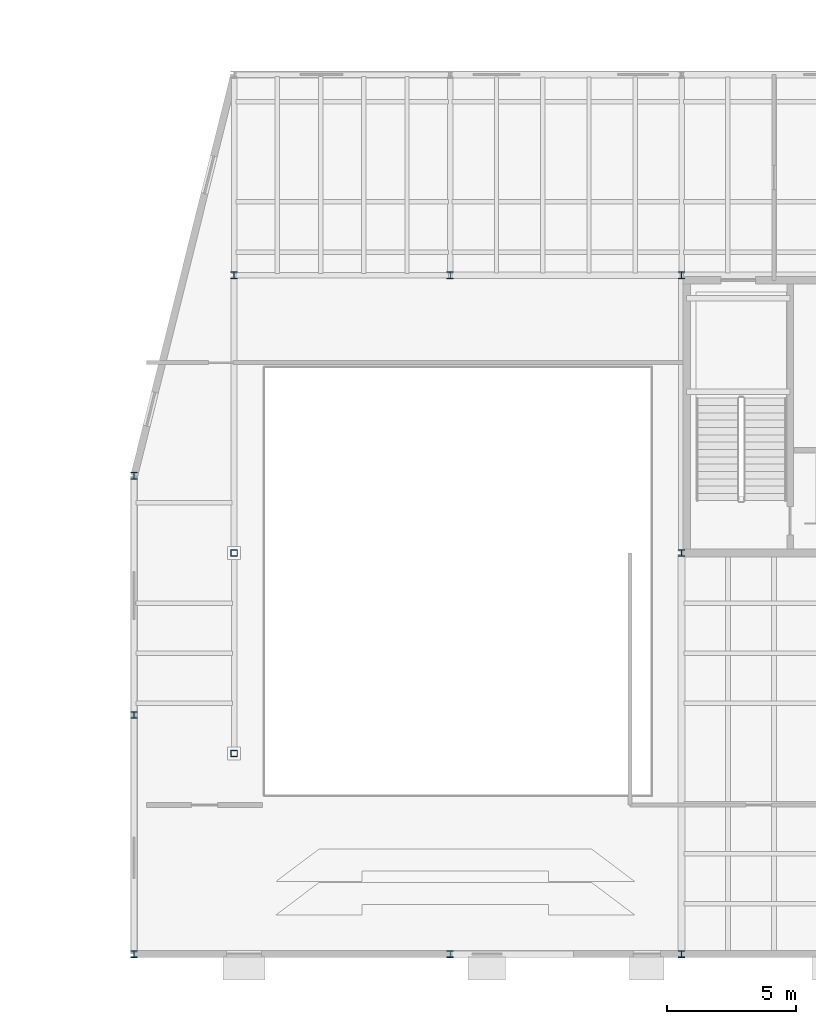
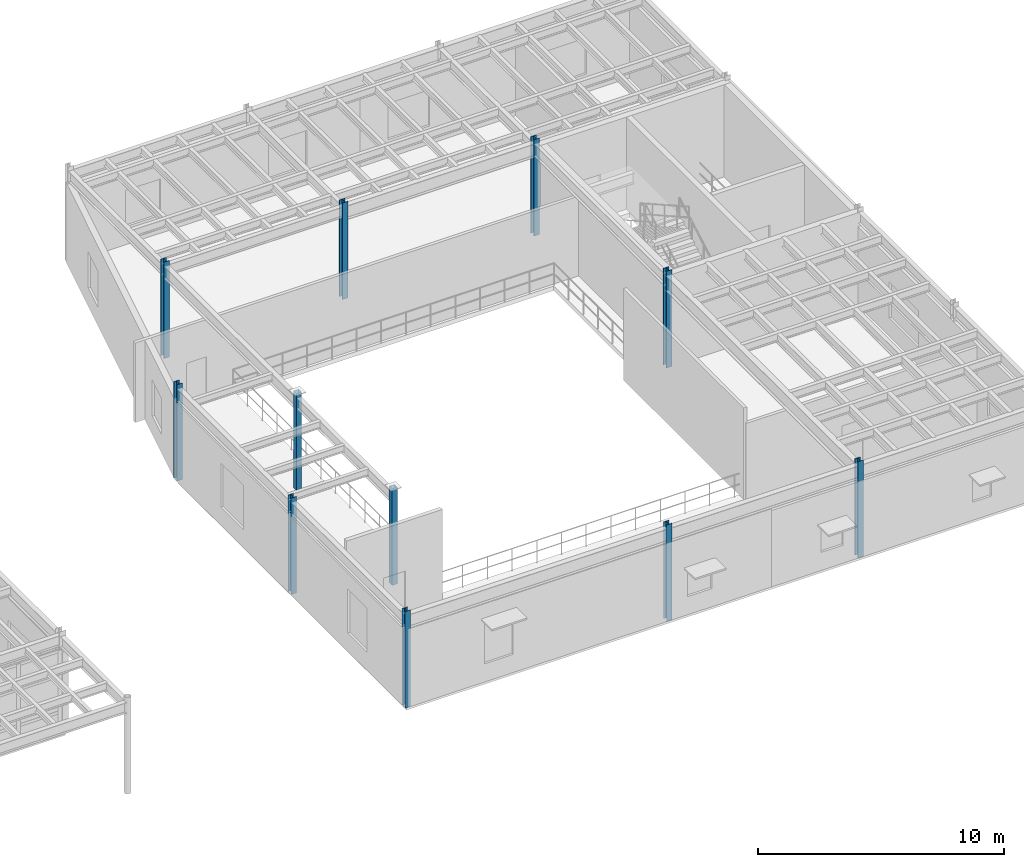
# One storey, part 17 of 116: 11 columns.
"""IFC4 building model written with IfcOpenShell, lengths in metres."""

from ifc_helpers import new_model, si_unit, direction, frame, origin, origin_2d, place, context, subcontext, project, spatial, hollow_rectangle, i_section, extrude, material, material_profile, profile_set, type_object, element, save


model = new_model("IFC4")

# Units and contexts
model_context = context("Model", 3, precision=1e-05, world=origin(), true_north=direction((0.0, 1.0)))
body_context = subcontext(model_context, "Body", "Model", "MODEL_VIEW")
ifc_project = project(units=[si_unit("LENGTHUNIT", "METRE"), si_unit("AREAUNIT", "SQUARE_METRE"), si_unit("VOLUMEUNIT", "CUBIC_METRE"), si_unit("PLANEANGLEUNIT", "RADIAN"), si_unit("MASSUNIT", "GRAM", prefix="KILO")], contexts=[model_context])

# Site, building, storey
site_placement = place(None, origin())
site = spatial("IfcSite", under=ifc_project, at=site_placement, CompositionType="ELEMENT")
building_placement = place(site_placement, origin())
building = spatial("IfcBuilding", under=site, at=building_placement, Name="Selat Folded Stagehouse", CompositionType="ELEMENT")
storey_placement = place(building_placement, frame((0.0, 0.0, 5.39990234375)))
storey = spatial("IfcBuildingStorey", under=building, at=storey_placement, Name="L01", CompositionType="ELEMENT", Elevation=5.39990234375)

# Columns
ifc_material = material(Name="Steel S355", Category="steel")
ifc_material_profile_1 = material_profile(ifc_material, i_section(OverallWidth=0.2587890625, OverallDepth=0.2666015625, WebThickness=0.0126953125, FlangeThickness=0.0205078125, FilletRadius=0.0126953125, at=origin_2d()), Name="UKC 254x254x107")
ifc_profile_set_1 = profile_set([ifc_material_profile_1], Name="Steel S355")
column_type_1 = type_object("IfcColumnType", Name="COL-UKC-254x254x107", PredefinedType="COLUMN", material=ifc_profile_set_1)
for number, where, z_axis, x_axis, name in (
    (1, (130.510498046875, 0.0, 0.0), (0.0, 0.0, 1.0), (1.0, 0.0, 0.0), "L01 column STK-V3-00"),
    (2, (130.510498046875, 9.300048828125, 0.0), (0.0, 0.0, 1.0), (1.0, 0.0, 0.0), "L01 column STK-V3-01"),
    (3, (130.510498046875, 18.60009765625, 0.0), (0.0, 0.0, 1.0), (1.0, 0.0, 0.0), "L01 column STK-V3-02"),
    (4, (134.39990234375, 26.39990234375, 0.0), (0.0, 0.0, 1.0), (1.0, 0.0, 0.0), "L01 column STK-V3-03"),
    (5, (142.800048828125, 0.0, 0.0), (0.0, 0.0, 1.0), (1.0, 0.0, 0.0), "L01 column STK-V3-05"),
    (6, (142.800048828125, 26.39990234375, 0.0), (0.0, 0.0, 1.0), (1.0, 0.0, 0.0), "L01 column STK-V3-06"),
    (7, (151.800048828125, 0.0, 0.0), (0.0, 0.0, 1.0), (1.0, 0.0, 0.0), "L01 column STK-V3-08"),
    (8, (151.800048828125, 15.60009765625, 0.0), (0.0, 0.0, 1.0), (1.0, 0.0, 0.0), "L01 column STK-V3-09"),
    (9, (151.800048828125, 26.39990234375, 0.0), (0.0, 0.0, 1.0), (1.0, 0.0, 0.0), "L01 column STK-V3-10"),
):
    element("IfcColumn", number, at=place(storey_placement, frame(where, z_axis=z_axis, x_axis=x_axis)), inside=storey, type_object=column_type_1, Name=name, PredefinedType="COLUMN", context=body_context, shape_type="SweptSolid", body=[
        extrude(i_section(OverallWidth=0.2587890625, OverallDepth=0.2666015625, WebThickness=0.0126953125, FlangeThickness=0.0205078125, FilletRadius=0.0126953125, at=origin_2d()), origin(), (0.0, 0.0, 1.0), 4.800048828125),
    ])
ifc_material_profile_2 = material_profile(ifc_material, hollow_rectangle(XDim=0.25, YDim=0.25, WallThickness=0.012451171875, at=origin_2d()), Name="SHS 250x250x12.5")
ifc_profile_set_2 = profile_set([ifc_material_profile_2], Name="Steel S355")
column_type_2 = type_object("IfcColumnType", Name="PIL-SHS-250x250", PredefinedType="PILASTER", material=ifc_profile_set_2)
for number, where, z_axis, x_axis, name in (
    (10, (134.39990234375, 7.800048828125, 0.0), (0.0, 0.0, 1.0), (1.0, 0.0, 0.0), "L01 pilaster 3"),
    (11, (134.39990234375, 15.60009765625, 0.0), (0.0, 0.0, 1.0), (1.0, 0.0, 0.0), "L01 pilaster 4"),
):
    element("IfcColumn", number, at=place(storey_placement, frame(where, z_axis=z_axis, x_axis=x_axis)), inside=storey, type_object=column_type_2, Name=name, PredefinedType="PILASTER", context=body_context, shape_type="SweptSolid", body=[
        extrude(hollow_rectangle(XDim=0.25, YDim=0.25, WallThickness=0.012451171875, at=origin_2d()), origin(), (0.0, 0.0, 1.0), 4.800048828125),
    ])

save(model, "model.ifc")
